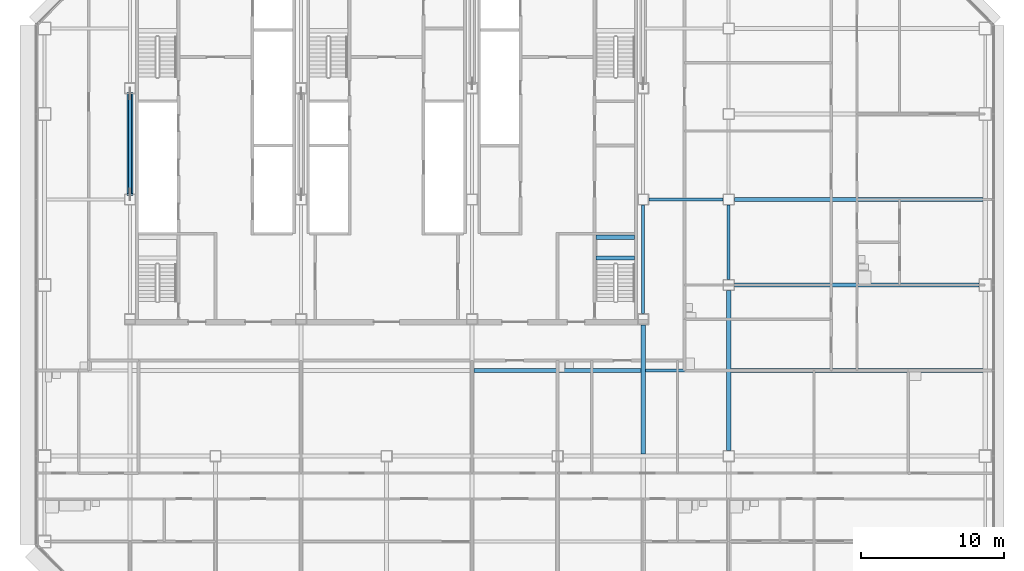
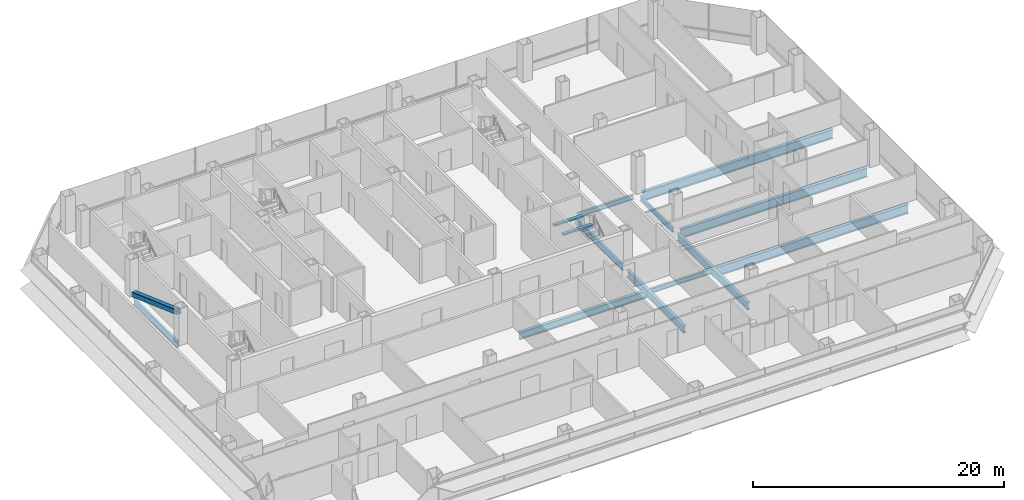
# One storey, part 10 of 27: 13 beams, 1 member.
"""IFC4 building model written with IfcOpenShell, lengths in metres."""

from ifc_helpers import new_model, si_unit, direction, frame, origin, origin_2d, place, context, subcontext, project, spatial, rectangle, hollow_rectangle, i_section, extrude, material, material_profile, profile_set, type_object, element, save


model = new_model("IFC4")

# Units and contexts
model_context = context("Model", 3, precision=1e-05, world=origin(), true_north=direction((0.0, 1.0)))
body_context = subcontext(model_context, "Body", "Model", "MODEL_VIEW")
ifc_project = project(units=[si_unit("LENGTHUNIT", "METRE"), si_unit("AREAUNIT", "SQUARE_METRE"), si_unit("VOLUMEUNIT", "CUBIC_METRE"), si_unit("PLANEANGLEUNIT", "RADIAN"), si_unit("MASSUNIT", "GRAM", prefix="KILO")], contexts=[model_context])

# Site, building, storey
site_placement = place(None, origin())
site = spatial("IfcSite", under=ifc_project, at=site_placement, CompositionType="ELEMENT")
building_placement = place(site_placement, origin())
building = spatial("IfcBuilding", under=site, at=building_placement, Name="Sorahane Residences", CompositionType="ELEMENT")
storey_placement = place(building_placement, frame((0.0, 0.0, 53.39990234375)))
storey = spatial("IfcBuildingStorey", under=building, at=storey_placement, Name="L09", CompositionType="ELEMENT", Elevation=53.39990234375)

# Member
ifc_material_1 = material(Name="Steel Q355B", Category="steel")
ifc_material_profile_1 = material_profile(ifc_material_1, hollow_rectangle(XDim=0.449951171875, YDim=0.449951171875, WallThickness=0.02197265625, InnerFilletRadius=0.010986328125, OuterFilletRadius=0.032958984375, at=origin_2d()), Name="RHS 450x450x22")
ifc_profile_set_1 = profile_set([ifc_material_profile_1], Name="Steel Q355B")
member_type = type_object("IfcMemberType", Name="Core brace RHS 450x450x22 Q355B", PredefinedType="BRACE", material=ifc_profile_set_1)
member_placement = place(storey_placement, frame((6.0, 37.44580078125, 0.208740234375), z_axis=(0.0, -0.940896908935, 0.338693086371), x_axis=(1.0, 0.0, 0.0)))
element("IfcMember", 1, at=member_placement, inside=storey, type_object=member_type, Name="Core brace L09 x6-2", PredefinedType="BRACE", context=body_context, shape_type="SweptSolid", body=[
    extrude(hollow_rectangle(XDim=0.449951171875, YDim=0.449951171875, WallThickness=0.02197265625, InnerFilletRadius=0.010986328125, OuterFilletRadius=0.032958984375, at=origin_2d()), origin(), (0.0, 0.0, 1.0), 7.537109375),
])

# Beams
ifc_material_2 = material(Name="Concrete C40", Category="concrete")
ifc_material_profile_2 = material_profile(ifc_material_2, rectangle(XDim=0.300048828125, YDim=0.139892578125, at=origin_2d()), Name="300x140")
ifc_profile_set_2 = profile_set([ifc_material_profile_2], Name="Concrete C40")
beam_type_1 = type_object("IfcBeamType", Name="RC landing beam 300 x 140 Concrete C40", PredefinedType="BEAM", material=ifc_profile_set_2)
for number, where, z_axis, x_axis, name in (
    (2, (38.699951171875, 25.89990234375, 1.530029296875), (1.0, 0.0, 0.0), (0.0, 1.0, 0.0), "Landing beam"),
    (3, (38.699951171875, 27.35009765625, 1.530029296875), (1.0, 0.0, 0.0), (0.0, 1.0, 0.0), "Landing beam"),
):
    element("IfcBeam", number, at=place(storey_placement, frame(where, z_axis=z_axis, x_axis=x_axis)), inside=storey, type_object=beam_type_1, Name=name, PredefinedType="BEAM", context=body_context, shape_type="SweptSolid", body=[
        extrude(rectangle(XDim=0.300048828125, YDim=0.139892578125, at=origin_2d()), origin(), (0.0, 0.0, 1.0), 2.699951171875),
    ])
ifc_material_3 = material(Name="Steel Q355B", Category="steel")
ifc_material_profile_3 = material_profile(ifc_material_3, i_section(OverallWidth=0.199951171875, OverallDepth=0.449951171875, WebThickness=0.009033203125, FlangeThickness=0.013916015625, FilletRadius=0.02001953125, at=origin_2d()), Name="HN 450x200x9x14")
ifc_profile_set_3 = profile_set([ifc_material_profile_3], Name="Steel Q355B")
beam_type_2 = type_object("IfcBeamType", Name="Steel floor beam HN 450x200x9x14 Q355B", PredefinedType="BEAM", material=ifc_profile_set_3)
beam_1_placement = place(storey_placement, frame((48.0, 24.39990234375, -0.40478515625), z_axis=(0.0, 1.0, 0.0), x_axis=(-1.0, 0.0, 0.0)))
element("IfcBeam", 4, at=beam_1_placement, inside=storey, type_object=beam_type_2, Name="Beam L09 053", PredefinedType="BEAM", context=body_context, shape_type="SweptSolid", body=[
    extrude(i_section(OverallWidth=0.199951171875, OverallDepth=0.449951171875, WebThickness=0.009033203125, FlangeThickness=0.013916015625, FilletRadius=0.02001953125, at=origin_2d()), origin(), (0.0, 0.0, 1.0), 5.2001953125),
])
beam_2_placement = place(storey_placement, frame((42.14990234375, 18.0, -0.40478515625), z_axis=(1.0, 0.0, 0.0), x_axis=(0.0, 1.0, 0.0)))
element("IfcBeam", 5, at=beam_2_placement, inside=storey, type_object=beam_type_2, Name="Beam L09 074", PredefinedType="BEAM", context=body_context, shape_type="SweptSolid", body=[
    extrude(i_section(OverallWidth=0.199951171875, OverallDepth=0.449951171875, WebThickness=0.009033203125, FlangeThickness=0.013916015625, FilletRadius=0.02001953125, at=origin_2d()), origin(), (0.0, 0.0, 1.0), 5.7001953125),
])
beam_3_placement = place(storey_placement, frame((42.39990234375, 30.0, -0.40478515625), z_axis=(1.0, 0.0, 0.0), x_axis=(0.0, 1.0, 0.0)))
element("IfcBeam", 6, at=beam_3_placement, inside=storey, type_object=beam_type_2, Name="Beam L09 077", PredefinedType="BEAM", context=body_context, shape_type="SweptSolid", body=[
    extrude(i_section(OverallWidth=0.199951171875, OverallDepth=0.449951171875, WebThickness=0.009033203125, FlangeThickness=0.013916015625, FilletRadius=0.02001953125, at=origin_2d()), origin(), (0.0, 0.0, 1.0), 5.2001953125),
])
ifc_material_4 = material(Name="Steel Q355B", Category="steel")
ifc_material_profile_4 = material_profile(ifc_material_4, i_section(OverallWidth=0.199951171875, OverallDepth=0.60009765625, WebThickness=0.010986328125, FlangeThickness=0.01708984375, FilletRadius=0.02392578125, at=origin_2d()), Name="HN 600x200x11x17")
ifc_profile_set_4 = profile_set([ifc_material_profile_4], Name="Steel Q355B")
beam_type_3 = type_object("IfcBeamType", Name="Steel floor beam HN 600x200x11x17 Q355B", PredefinedType="BEAM", material=ifc_profile_set_4)
beam_4_placement = place(storey_placement, frame((6.0, 30.39990234375, -0.47998046875), z_axis=(0.0, 1.0, 0.0), x_axis=(-1.0, 0.0, 0.0)))
element("IfcBeam", 7, at=beam_4_placement, inside=storey, type_object=beam_type_3, Name="Beam L09 024", PredefinedType="BEAM", context=body_context, shape_type="SweptSolid", body=[
    extrude(i_section(OverallWidth=0.199951171875, OverallDepth=0.60009765625, WebThickness=0.010986328125, FlangeThickness=0.01708984375, FilletRadius=0.02392578125, at=origin_2d()), origin(), (0.0, 0.0, 1.0), 7.0),
])
beam_5_placement = place(storey_placement, frame((42.0, 22.0, -0.47998046875), z_axis=(0.0, 1.0, 0.0), x_axis=(-1.0, 0.0, 0.0)))
element("IfcBeam", 8, at=beam_5_placement, inside=storey, type_object=beam_type_3, Name="Beam L09 047", PredefinedType="BEAM", context=body_context, shape_type="SweptSolid", body=[
    extrude(i_section(OverallWidth=0.199951171875, OverallDepth=0.60009765625, WebThickness=0.010986328125, FlangeThickness=0.01708984375, FilletRadius=0.02392578125, at=origin_2d()), origin(), (0.0, 0.0, 1.0), 7.60009765625),
])
ifc_material_5 = material(Name="Steel Q355B", Category="steel")
ifc_material_profile_5 = material_profile(ifc_material_5, i_section(OverallWidth=0.300048828125, OverallDepth=0.699951171875, WebThickness=0.012939453125, FlangeThickness=0.02392578125, FilletRadius=0.028076171875, at=origin_2d()), Name="HN 700x300x13x24")
ifc_profile_set_5 = profile_set([ifc_material_profile_5], Name="Steel Q355B")
beam_type_4 = type_object("IfcBeamType", Name="Steel floor beam HN 700x300x13x24 Q355B", PredefinedType="BEAM", material=ifc_profile_set_5)
beam_6_placement = place(storey_placement, frame((42.0, 12.14990234375, -0.52978515625), z_axis=(0.0, 1.0, 0.0), x_axis=(-1.0, 0.0, 0.0)))
element("IfcBeam", 9, at=beam_6_placement, inside=storey, type_object=beam_type_4, Name="Beam L09 046", PredefinedType="BEAM", context=body_context, shape_type="SweptSolid", body=[
    extrude(i_section(OverallWidth=0.300048828125, OverallDepth=0.699951171875, WebThickness=0.012939453125, FlangeThickness=0.02392578125, FilletRadius=0.028076171875, at=origin_2d()), origin(), (0.0, 0.0, 1.0), 9.050048828125),
])
beam_7_placement = place(storey_placement, frame((48.0, 12.39990234375, -0.52978515625), z_axis=(0.0, 1.0, 0.0), x_axis=(-1.0, 0.0, 0.0)))
element("IfcBeam", 10, at=beam_7_placement, inside=storey, type_object=beam_type_4, Name="Beam L09 052", PredefinedType="BEAM", context=body_context, shape_type="SweptSolid", body=[
    extrude(i_section(OverallWidth=0.300048828125, OverallDepth=0.699951171875, WebThickness=0.012939453125, FlangeThickness=0.02392578125, FilletRadius=0.028076171875, at=origin_2d()), origin(), (0.0, 0.0, 1.0), 11.2001953125),
])
beam_8_placement = place(storey_placement, frame((30.14990234375, 18.0, -0.52978515625), z_axis=(1.0, 0.0, 0.0), x_axis=(0.0, 1.0, 0.0)))
element("IfcBeam", 11, at=beam_8_placement, inside=storey, type_object=beam_type_4, Name="Beam L09 073", PredefinedType="BEAM", context=body_context, shape_type="SweptSolid", body=[
    extrude(i_section(OverallWidth=0.300048828125, OverallDepth=0.699951171875, WebThickness=0.012939453125, FlangeThickness=0.02392578125, FilletRadius=0.028076171875, at=origin_2d()), origin(), (0.0, 0.0, 1.0), 11.7001953125),
])
ifc_material_6 = material(Name="Steel Q355B", Category="steel")
ifc_material_profile_6 = material_profile(ifc_material_6, i_section(OverallWidth=0.300048828125, OverallDepth=0.89990234375, WebThickness=0.01611328125, FlangeThickness=0.028076171875, FilletRadius=0.028076171875, at=origin_2d()), Name="HN 900x300x16x28")
ifc_profile_set_6 = profile_set([ifc_material_profile_6], Name="Steel Q355B")
beam_type_5 = type_object("IfcBeamType", Name="Steel floor beam HN 900x300x16x28 Q355B", PredefinedType="BEAM", material=ifc_profile_set_6)
beam_9_placement = place(storey_placement, frame((48.39990234375, 24.0, -0.6298828125), z_axis=(1.0, 0.0, 0.0), x_axis=(0.0, 1.0, 0.0)))
element("IfcBeam", 12, at=beam_9_placement, inside=storey, type_object=beam_type_5, Name="Beam L09 010", PredefinedType="BEAM", context=body_context, shape_type="SweptSolid", body=[
    extrude(i_section(OverallWidth=0.300048828125, OverallDepth=0.89990234375, WebThickness=0.01611328125, FlangeThickness=0.028076171875, FilletRadius=0.028076171875, at=origin_2d()), origin(), (0.0, 0.0, 1.0), 17.150146484375),
])
beam_10_placement = place(storey_placement, frame((48.14990234375, 18.0, -0.6298828125), z_axis=(1.0, 0.0, 0.0), x_axis=(0.0, 1.0, 0.0)))
element("IfcBeam", 13, at=beam_10_placement, inside=storey, type_object=beam_type_5, Name="Beam L09 075", PredefinedType="BEAM", context=body_context, shape_type="SweptSolid", body=[
    extrude(i_section(OverallWidth=0.300048828125, OverallDepth=0.89990234375, WebThickness=0.01611328125, FlangeThickness=0.028076171875, FilletRadius=0.028076171875, at=origin_2d()), origin(), (0.0, 0.0, 1.0), 17.7001953125),
])
beam_11_placement = place(storey_placement, frame((48.39990234375, 30.0, -0.6298828125), z_axis=(1.0, 0.0, 0.0), x_axis=(0.0, 1.0, 0.0)))
element("IfcBeam", 14, at=beam_11_placement, inside=storey, type_object=beam_type_5, Name="Beam L09 078", PredefinedType="BEAM", context=body_context, shape_type="SweptSolid", body=[
    extrude(i_section(OverallWidth=0.300048828125, OverallDepth=0.89990234375, WebThickness=0.01611328125, FlangeThickness=0.028076171875, FilletRadius=0.028076171875, at=origin_2d()), origin(), (0.0, 0.0, 1.0), 17.4501953125),
])

save(model, "model.ifc")
